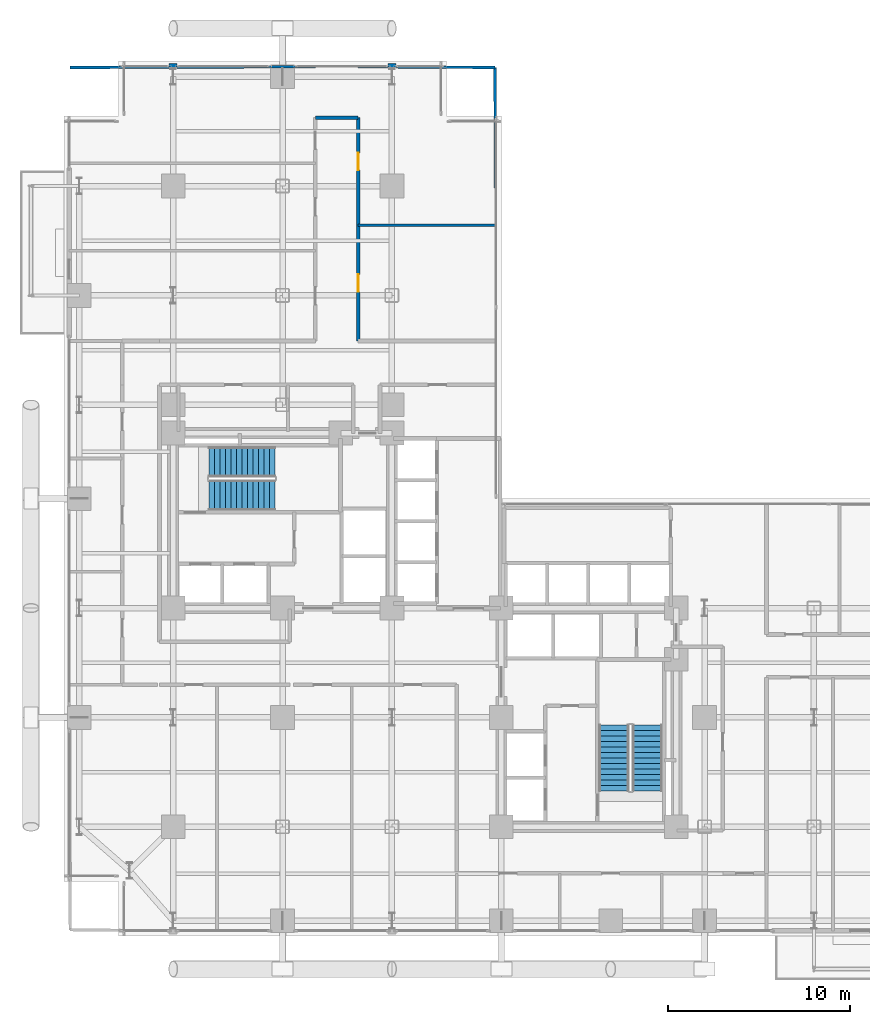
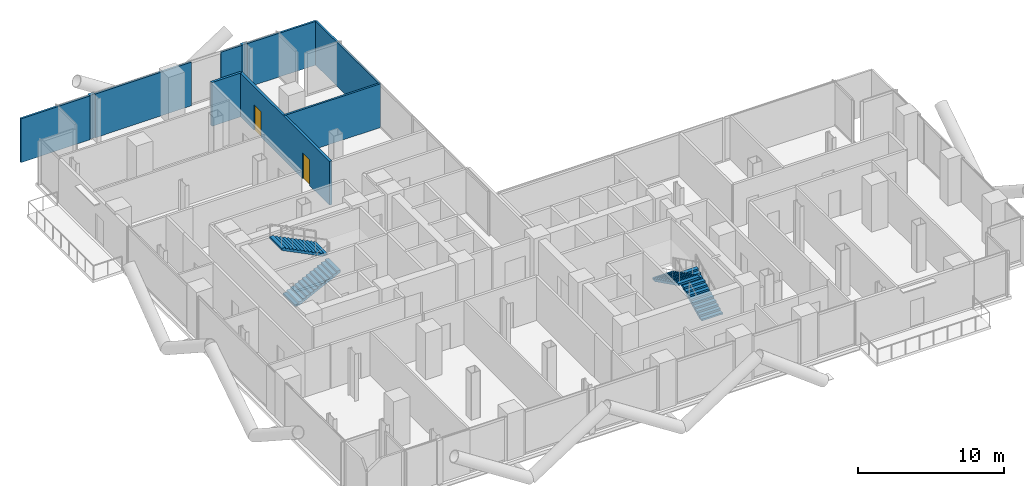
# One storey, part 24 of 27: 10 walls, 4 stair flights, 2 doors, 2 openings, 2 elements without a shape of their own.
"""IFC4 building model written with IfcOpenShell, lengths in metres."""

from ifc_helpers import new_model, si_unit, direction, frame, frame_2d, origin, place, context, subcontext, project, spatial, polyline, rectangle, outline, extrude, material, layer, layer_set, type_object, element, fill, aggregate, save


model = new_model("IFC4")

# Units and contexts
model_context = context("Model", 3, precision=1e-05, world=origin(), true_north=direction((0.0, 1.0)))
body_context = subcontext(model_context, "Body", "Model", "MODEL_VIEW")
ifc_project = project(units=[si_unit("LENGTHUNIT", "METRE"), si_unit("AREAUNIT", "SQUARE_METRE"), si_unit("VOLUMEUNIT", "CUBIC_METRE"), si_unit("PLANEANGLEUNIT", "RADIAN"), si_unit("MASSUNIT", "GRAM", prefix="KILO"), si_unit("THERMODYNAMICTEMPERATUREUNIT", "KELVIN"), si_unit("POWERUNIT", "WATT")], contexts=[model_context])

# Site, building, storey
site_placement = place(None, origin())
site = spatial("IfcSite", under=ifc_project, at=site_placement, CompositionType="ELEMENT")
building_placement = place(site_placement, origin())
building = spatial("IfcBuilding", under=site, at=building_placement, Name="Svarakhadi Broadcast Tower", CompositionType="ELEMENT")
storey_placement = place(building_placement, frame((0.0, 0.0, 59.699951171875)))
storey = spatial("IfcBuildingStorey", under=building, at=storey_placement, Name="L13", CompositionType="ELEMENT", Elevation=59.699951171875)

# Walls
ifc_material_1 = material(Name="Concrete C40/50 (IS 456 M50)", Category="concrete")
ifc_layer_1 = layer(ifc_material_1, 0.239990234375)
ifc_layer_set_1 = layer_set([ifc_layer_1], Name="Concrete C40/50 (IS 456 M50)")
wall_type_1 = type_object("IfcWallType", Name="Wall_Ext_240", PredefinedType="SOLIDWALL", material=ifc_layer_set_1)
for number, where, z_axis, x_axis, name in (
    (1, (5.784912109375, 47.760009765625, 0.0), (0.0, 0.0, 1.0), (1.0, 0.0, 0.0), "L13 Perimeter Bronze Spandrel Closure Wall 01"),
    (2, (17.784912109375, 47.760009765625, 0.0), (0.0, 0.0, 1.0), (1.0, 0.0, 0.0), "L13 Perimeter Bronze Spandrel Closure Wall 02"),
):
    element("IfcWall", number, at=place(storey_placement, frame(where, z_axis=z_axis, x_axis=x_axis)), inside=storey, type_object=wall_type_1, Name=name, PredefinedType="SOLIDWALL", context=body_context, shape_type="SweptSolid", body=[
        extrude(rectangle(XDim=0.43017578125, YDim=0.239990234375, at=frame_2d((0.215087890625, 0.0))), origin(), (0.0, 0.0, 1.0), 3.650146484375),
    ])
ifc_layer_2 = layer(ifc_material_1, 0.199951171875)
ifc_layer_set_2 = layer_set([ifc_layer_2], Name="Concrete C40/50 (IS 456 M50)")
wall_type_2 = type_object("IfcWallType", Name="Wall_Fire_200", PredefinedType="SOLIDWALL", material=ifc_layer_set_2)
wall_1_placement = place(storey_placement, frame((13.800048828125, 44.89990234375, 0.0), z_axis=(0.0, 0.0, 1.0), x_axis=(1.0, 0.0, 0.0)))
element("IfcWall", 3, at=wall_1_placement, inside=storey, type_object=wall_type_2, Name="L13 Broadcast Corridor Wall", PredefinedType="SOLIDWALL", context=body_context, shape_type="SweptSolid", body=[
    extrude(rectangle(XDim=2.349853515625, YDim=0.199951171875, at=frame_2d((1.1748046875, 0.0))), origin(), (0.0, 0.0, 1.0), 3.650146484375),
])

# Wall, openings, doors
wall_2_placement = place(storey_placement, frame((16.14990234375, 44.89990234375, 0.0), z_axis=(0.0, 0.0, 1.0), x_axis=(0.0, -1.0, 0.0)))
wall_2 = element("IfcWall", 4, at=wall_2_placement, inside=storey, type_object=wall_type_2, Name="L13 Broadcast Corridor Wall", PredefinedType="SOLIDWALL", context=body_context, shape_type="SweptSolid", body=[
    extrude(rectangle(XDim=12.25, YDim=0.199951171875, at=frame_2d((6.125, 0.0))), origin(), (0.0, 0.0, 1.0), 3.650146484375),
])
opening_1_placement = place(wall_2_placement, frame((8.60009765625, 0.0, 0.0)))
opening_1 = element("IfcOpeningElement", 5, at=opening_1_placement, cuts=wall_2, Name="Opening D-07", PredefinedType="OPENING", context=body_context, shape_type="SweptSolid", body=[
    extrude(rectangle(XDim=0.949951171875, YDim=2.14990234375, at=frame_2d((0.47509765625, 1.074951171875))), frame((0.0, 0.10986328125, 0.0), z_axis=(0.0, -1.0, 0.0), x_axis=(1.0, 0.0, 0.0)), (0.0, 0.0, 1.0), 0.219970703125),
])
opening_2_placement = place(wall_2_placement, frame((1.929931640625, 0.0, 0.0)))
opening_2 = element("IfcOpeningElement", 6, at=opening_2_placement, cuts=wall_2, Name="Opening D-06", PredefinedType="OPENING", context=body_context, shape_type="SweptSolid", body=[
    extrude(rectangle(XDim=0.949951171875, YDim=2.14990234375, at=frame_2d((0.47509765625, 1.074951171875))), frame((0.0, 0.10986328125, 0.0), z_axis=(0.0, -1.0, 0.0), x_axis=(1.0, 0.0, 0.0)), (0.0, 0.0, 1.0), 0.219970703125),
])
ifc_material_2 = material(Name="Solid-Core Teak Veneer Acoustic Timber Leaf", Category="wood")
door_type_1 = type_object("IfcDoorType", Name="Door_Office_D06", OperationType="SINGLE_SWING_LEFT", PredefinedType="DOOR", material=ifc_material_2)
door_1_placement = place(opening_2_placement, origin())
door_1 = element("IfcDoor", 7, at=door_1_placement, inside=storey, type_object=door_type_1, Name="L13 Print and Bindery Store Door", OperationType="SINGLE_SWING_LEFT", OverallHeight=2.14990234375, OverallWidth=0.949951171875, PredefinedType="DOOR", context=body_context, shape_type="SweptSolid", body=[
    extrude(rectangle(XDim=0.949951171875, YDim=2.14990234375, at=frame_2d((0.47509765625, 1.074951171875))), frame((0.0, 0.02490234375, 0.0), z_axis=(0.0, -1.0, 0.0), x_axis=(1.0, 0.0, 0.0)), (0.0, 0.0, 1.0), 0.050048828125),
])
fill(opening_2, door_1)
door_type_2 = type_object("IfcDoorType", Name="Door_Office_D07", OperationType="SINGLE_SWING_RIGHT", PredefinedType="DOOR", material=ifc_material_2)
door_2_placement = place(opening_1_placement, origin())
door_2 = element("IfcDoor", 8, at=door_2_placement, inside=storey, type_object=door_type_2, Name="L13 Academy Registrar Office Door", OperationType="SINGLE_SWING_RIGHT", OverallHeight=2.14990234375, OverallWidth=0.949951171875, PredefinedType="DOOR", context=body_context, shape_type="SweptSolid", body=[
    extrude(rectangle(XDim=0.949951171875, YDim=2.14990234375, at=frame_2d((0.47509765625, 1.074951171875))), frame((0.0, 0.02490234375, 0.0), z_axis=(0.0, -1.0, 0.0), x_axis=(1.0, 0.0, 0.0)), (0.0, 0.0, 1.0), 0.050048828125),
])
fill(opening_1, door_2)

# Walls
ifc_material_3 = material(Name="Autoclaved Aerated Concrete Blockwork 150 mm", Category="masonry")
ifc_layer_3 = layer(ifc_material_3, 0.14990234375)
ifc_layer_set_3 = layer_set([ifc_layer_3], Name="Autoclaved Aerated Concrete Blockwork 150 mm")
wall_type_3 = type_object("IfcWallType", Name="Wall_Part_150", PredefinedType="PARTITIONING", material=ifc_layer_set_3)
wall_3_placement = place(storey_placement, frame((0.35009765625, 47.64990234375, 0.0), z_axis=(0.0, 0.0, 1.0), x_axis=(0.99999304924, 0.003728467862, 0.0)))
element("IfcWall", 9, at=wall_3_placement, inside=storey, type_object=wall_type_3, Name="L13 Media Reference Study Wall", PredefinedType="PARTITIONING", context=body_context, shape_type="SweptSolid", body=[
    extrude(rectangle(XDim=5.434814453125, YDim=0.14990234375, at=frame_2d((2.71728515625, 0.0))), origin(), (0.0, 0.0, 1.0), 3.650146484375),
])
wall_4_placement = place(storey_placement, frame((6.215087890625, 47.671875, 0.0), z_axis=(0.0, 0.0, 1.0), x_axis=(0.999993149305, 0.003701532515, 0.0)))
element("IfcWall", 10, at=wall_4_placement, inside=storey, type_object=wall_type_3, Name="L13 Media Reference Study Wall", PredefinedType="PARTITIONING", context=body_context, shape_type="SweptSolid", body=[
    extrude(rectangle(XDim=7.5849609375, YDim=0.14990234375, at=frame_2d((3.79248046875, 0.0))), origin(), (0.0, 0.0, 1.0), 3.650146484375),
])
wall_5_placement = place(storey_placement, frame((16.14990234375, 39.0, 0.0), z_axis=(0.0, 0.0, 1.0), x_axis=(1.0, 0.0, 0.0)))
element("IfcWall", 11, at=wall_5_placement, inside=storey, type_object=wall_type_3, Name="L13 Academy Registrar Office Wall", PredefinedType="PARTITIONING", context=body_context, shape_type="SweptSolid", body=[
    extrude(rectangle(XDim=7.550048828125, YDim=0.14990234375, at=frame_2d((3.77490234375, 0.0))), origin(), (0.0, 0.0, 1.0), 3.650146484375),
])
wall_6_placement = place(storey_placement, frame((16.14990234375, 47.699951171875, 0.0), z_axis=(0.0, 0.0, 1.0), x_axis=(0.999978417552, -0.006569964219, 0.0)))
element("IfcWall", 12, at=wall_6_placement, inside=storey, type_object=wall_type_3, Name="L13 Print and Bindery Store Wall", PredefinedType="PARTITIONING", context=body_context, shape_type="SweptSolid", body=[
    extrude(rectangle(XDim=1.635009765625, YDim=0.14990234375, at=frame_2d((0.8173828125, 0.0))), origin(), (0.0, 0.0, 1.0), 3.650146484375),
])
wall_7_placement = place(storey_placement, frame((18.215087890625, 47.686279296875, 0.0), z_axis=(0.0, 0.0, 1.0), x_axis=(0.999977600485, -0.006693170229, 0.0)))
element("IfcWall", 13, at=wall_7_placement, inside=storey, type_object=wall_type_3, Name="L13 Print and Bindery Store Wall", PredefinedType="PARTITIONING", context=body_context, shape_type="SweptSolid", body=[
    extrude(rectangle(XDim=5.434814453125, YDim=0.14990234375, at=frame_2d((2.71728515625, 0.0))), origin(), (0.0, 0.0, 1.0), 3.650146484375),
])
wall_8_placement = place(storey_placement, frame((23.699951171875, 39.0, 0.0), z_axis=(0.0, 0.0, 1.0), x_axis=(-0.005785960162, 0.999983261192, 0.0)))
element("IfcWall", 14, at=wall_8_placement, inside=storey, type_object=wall_type_3, Name="L13 Print and Bindery Store Wall", PredefinedType="PARTITIONING", context=body_context, shape_type="SweptSolid", body=[
    extrude(rectangle(XDim=8.650146484375, YDim=0.14990234375, at=frame_2d((4.3251953125, 0.0))), origin(), (0.0, 0.0, 1.0), 3.650146484375),
])

# Stair, stair flights
stair_type = type_object("IfcStairType", Name="Stair_Exit_Core", PredefinedType="HALF_TURN_STAIR", material=ifc_material_1)
stair_1_placement = place(storey_placement, origin())
stair_1 = element("IfcStair", 15, at=stair_1_placement, inside=storey, type_object=stair_type, Name="L13 West Core Protected Exit Stair ST-01", PredefinedType="HALF_TURN_STAIR")
stair_flight_type = type_object("IfcStairFlightType", Name="Flight_RC_1680", PredefinedType="STRAIGHT", material=ifc_material_1)
stair_flight_1_placement = place(storey_placement, frame((7.97998046875, 24.18994140625, 0.0), z_axis=(0.0, 0.0, 1.0), x_axis=(1.0, 0.0, 0.0)))
stair_flight_1 = element("IfcStairFlight", 16, at=stair_flight_1_placement, type_object=stair_flight_type, Name="ST-01 flight 1", NumberOfRisers=13, NumberOfTreads=12, PredefinedType="STRAIGHT", RiserHeight=0.15, TreadLength=0.3, context=body_context, shape_type="SweptSolid", body=[
    extrude(outline(polyline([(0.0, 0.0), (0.0, 0.14990234375), (0.300048828125, 0.14990234375), (0.300048828125, 0.300048828125), (0.60009765625, 0.300048828125), (0.60009765625, 0.449951171875), (0.89990234375, 0.449951171875), (0.89990234375, 0.60009765625), (1.199951171875, 0.60009765625), (1.199951171875, 0.75), (1.5, 0.75), (1.5, 0.89990234375), (1.800048828125, 0.89990234375), (1.800048828125, 1.050048828125), (2.10009765625, 1.050048828125), (2.10009765625, 1.199951171875), (2.39990234375, 1.199951171875), (2.39990234375, 1.35009765625), (2.699951171875, 1.35009765625), (2.699951171875, 1.5), (3.0, 1.5), (3.0, 1.64990234375), (3.300048828125, 1.64990234375), (3.300048828125, 1.800048828125), (3.60009765625, 1.800048828125), (3.60009765625, 1.949951171875), (3.60009765625, 1.63232421875), (0.335205078125, 0.0), (0.0, 0.0)])), frame((0.0, 0.830078125, 0.0), z_axis=(0.0, -1.0, 0.0), x_axis=(1.0, 0.0, 0.0)), (0.0, 0.0, 1.0), 1.659912109375),
])
stair_flight_2_placement = place(storey_placement, frame((11.580078125, 26.010009765625, 1.949951171875), z_axis=(0.0, 0.0, 1.0), x_axis=(-1.0, 0.0, 0.0)))
stair_flight_2 = element("IfcStairFlight", 17, at=stair_flight_2_placement, type_object=stair_flight_type, Name="ST-01 flight 2", NumberOfRisers=13, NumberOfTreads=12, PredefinedType="STRAIGHT", RiserHeight=0.15, TreadLength=0.3, context=body_context, shape_type="SweptSolid", body=[
    extrude(outline(polyline([(0.0, 0.0), (0.0, 0.14990234375), (0.300048828125, 0.14990234375), (0.300048828125, 0.300048828125), (0.60009765625, 0.300048828125), (0.60009765625, 0.449951171875), (0.89990234375, 0.449951171875), (0.89990234375, 0.60009765625), (1.199951171875, 0.60009765625), (1.199951171875, 0.75), (1.5, 0.75), (1.5, 0.89990234375), (1.800048828125, 0.89990234375), (1.800048828125, 1.050048828125), (2.10009765625, 1.050048828125), (2.10009765625, 1.199951171875), (2.39990234375, 1.199951171875), (2.39990234375, 1.35009765625), (2.699951171875, 1.35009765625), (2.699951171875, 1.5), (3.0, 1.5), (3.0, 1.64990234375), (3.300048828125, 1.64990234375), (3.300048828125, 1.800048828125), (3.60009765625, 1.800048828125), (3.60009765625, 1.949951171875), (3.60009765625, 1.63232421875), (0.335205078125, 0.0), (0.0, 0.0)])), frame((0.0, 0.830078125, 0.0), z_axis=(0.0, -1.0, 0.0), x_axis=(1.0, 0.0, 0.0)), (0.0, 0.0, 1.0), 1.659912109375),
])
aggregate(stair_1, [stair_flight_1, stair_flight_2])

stair_2_placement = place(storey_placement, origin())
stair_2 = element("IfcStair", 18, at=stair_2_placement, inside=storey, type_object=stair_type, Name="L13 East Core Protected Exit Stair ST-02", PredefinedType="HALF_TURN_STAIR")
stair_flight_3_placement = place(storey_placement, frame((32.010009765625, 7.97998046875, 0.0), z_axis=(0.0, 0.0, 1.0), x_axis=(0.0, 1.0, 0.0)))
stair_flight_3 = element("IfcStairFlight", 19, at=stair_flight_3_placement, type_object=stair_flight_type, Name="ST-02 flight 1", NumberOfRisers=13, NumberOfTreads=12, PredefinedType="STRAIGHT", RiserHeight=0.15, TreadLength=0.3, context=body_context, shape_type="SweptSolid", body=[
    extrude(outline(polyline([(0.0, 0.0), (0.0, 0.14990234375), (0.300048828125, 0.14990234375), (0.300048828125, 0.300048828125), (0.60009765625, 0.300048828125), (0.60009765625, 0.449951171875), (0.89990234375, 0.449951171875), (0.89990234375, 0.60009765625), (1.199951171875, 0.60009765625), (1.199951171875, 0.75), (1.5, 0.75), (1.5, 0.89990234375), (1.800048828125, 0.89990234375), (1.800048828125, 1.050048828125), (2.10009765625, 1.050048828125), (2.10009765625, 1.199951171875), (2.39990234375, 1.199951171875), (2.39990234375, 1.35009765625), (2.699951171875, 1.35009765625), (2.699951171875, 1.5), (3.0, 1.5), (3.0, 1.64990234375), (3.300048828125, 1.64990234375), (3.300048828125, 1.800048828125), (3.60009765625, 1.800048828125), (3.60009765625, 1.949951171875), (3.60009765625, 1.63232421875), (0.335205078125, 0.0), (0.0, 0.0)])), frame((0.0, 0.830078125, 0.0), z_axis=(0.0, -1.0, 0.0), x_axis=(1.0, 0.0, 0.0)), (0.0, 0.0, 1.0), 1.659912109375),
])
stair_flight_4_placement = place(storey_placement, frame((30.18994140625, 11.580078125, 1.949951171875), z_axis=(0.0, 0.0, 1.0), x_axis=(0.0, -1.0, 0.0)))
stair_flight_4 = element("IfcStairFlight", 20, at=stair_flight_4_placement, type_object=stair_flight_type, Name="ST-02 flight 2", NumberOfRisers=13, NumberOfTreads=12, PredefinedType="STRAIGHT", RiserHeight=0.15, TreadLength=0.3, context=body_context, shape_type="SweptSolid", body=[
    extrude(outline(polyline([(0.0, 0.0), (0.0, 0.14990234375), (0.300048828125, 0.14990234375), (0.300048828125, 0.300048828125), (0.60009765625, 0.300048828125), (0.60009765625, 0.449951171875), (0.89990234375, 0.449951171875), (0.89990234375, 0.60009765625), (1.199951171875, 0.60009765625), (1.199951171875, 0.75), (1.5, 0.75), (1.5, 0.89990234375), (1.800048828125, 0.89990234375), (1.800048828125, 1.050048828125), (2.10009765625, 1.050048828125), (2.10009765625, 1.199951171875), (2.39990234375, 1.199951171875), (2.39990234375, 1.35009765625), (2.699951171875, 1.35009765625), (2.699951171875, 1.5), (3.0, 1.5), (3.0, 1.64990234375), (3.300048828125, 1.64990234375), (3.300048828125, 1.800048828125), (3.60009765625, 1.800048828125), (3.60009765625, 1.949951171875), (3.60009765625, 1.63232421875), (0.335205078125, 0.0), (0.0, 0.0)])), frame((0.0, 0.830078125, 0.0), z_axis=(0.0, -1.0, 0.0), x_axis=(1.0, 0.0, 0.0)), (0.0, 0.0, 1.0), 1.659912109375),
])
aggregate(stair_2, [stair_flight_3, stair_flight_4])

save(model, "model.ifc")
